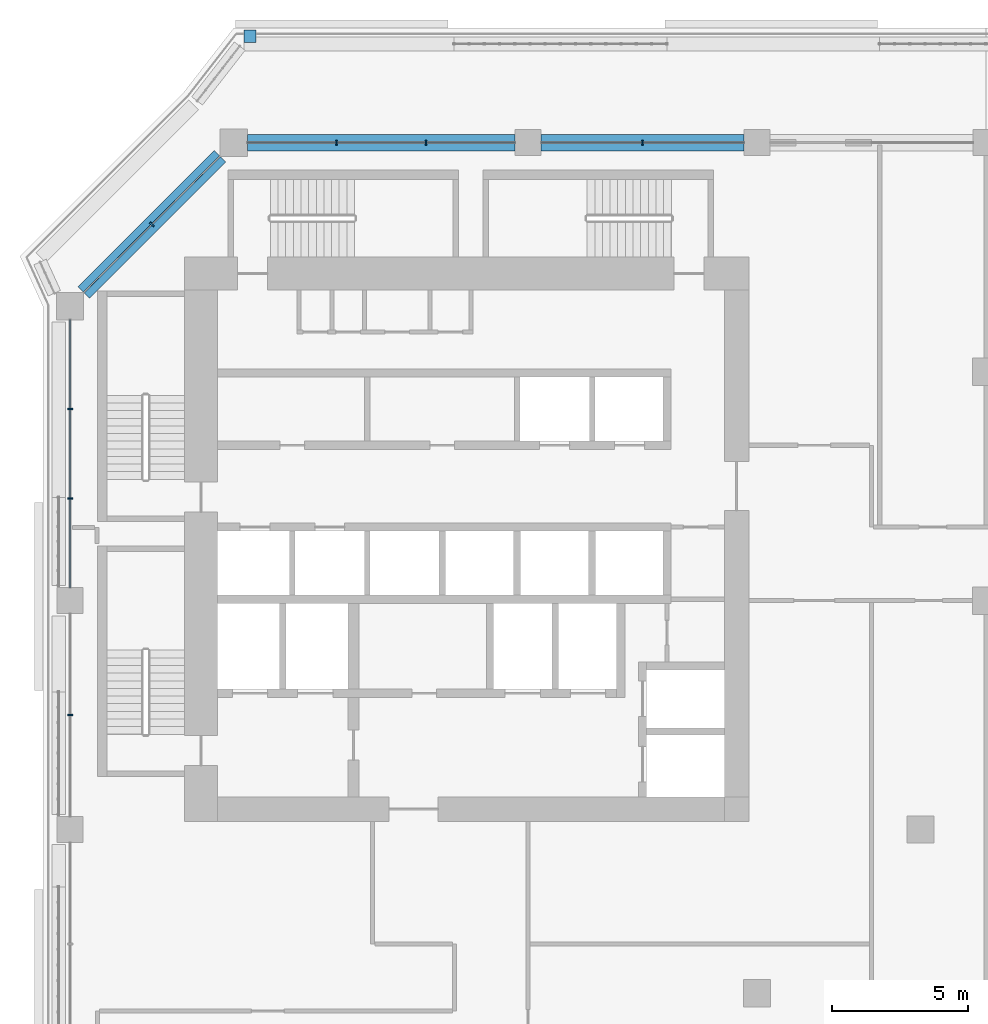
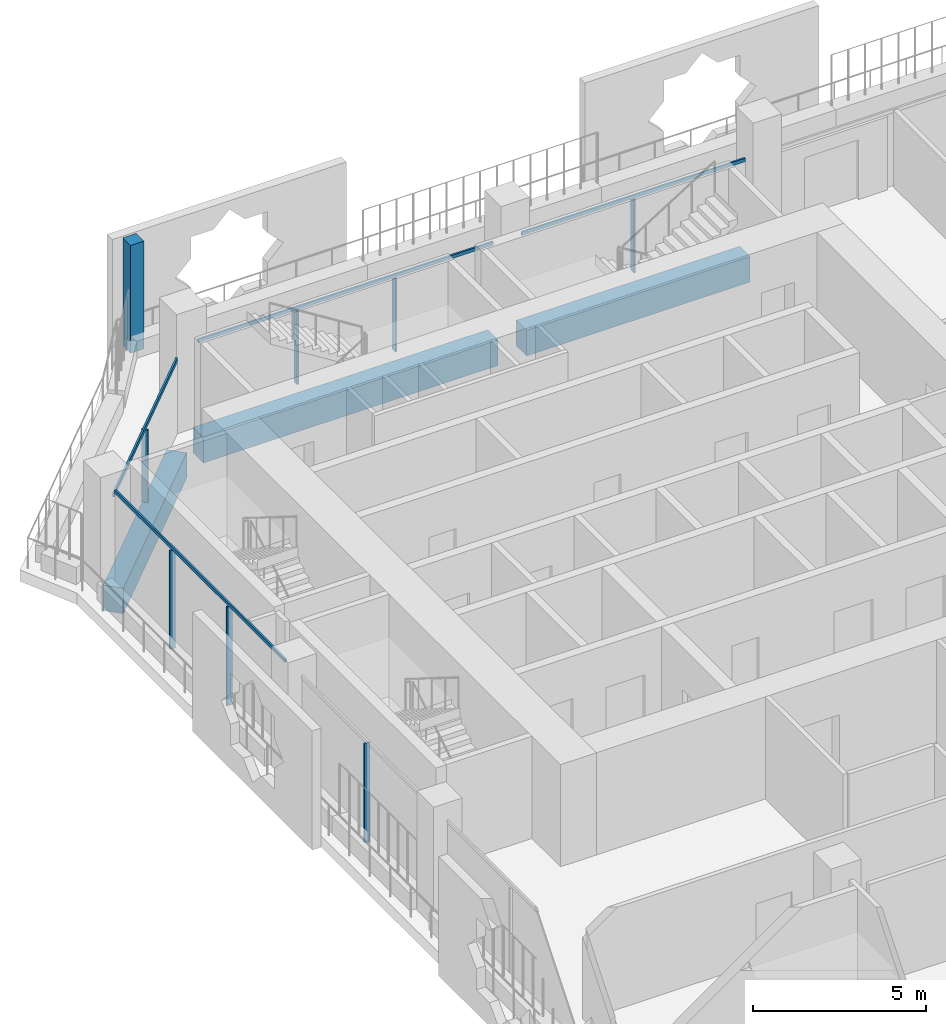
# One storey, part 5 of 22: 12 members, 3 beams, 4 elements without a shape of their own.
"""IFC4 building model written with IfcOpenShell, lengths in metres."""

from ifc_helpers import new_model, si_unit, direction, frame, origin, origin_2d, place, context, subcontext, project, spatial, rectangle, extrude, material, layer, layer_set, material_profile, profile_set, type_object, element, aggregate, save


model = new_model("IFC4")

# Units and contexts
model_context = context("Model", 3, precision=1e-05, world=origin(), true_north=direction((0.0, 1.0)))
body_context = subcontext(model_context, "Body", "Model", "MODEL_VIEW")
ifc_project = project(units=[si_unit("LENGTHUNIT", "METRE"), si_unit("AREAUNIT", "SQUARE_METRE"), si_unit("VOLUMEUNIT", "CUBIC_METRE"), si_unit("PLANEANGLEUNIT", "RADIAN"), si_unit("MASSUNIT", "GRAM", prefix="KILO")], contexts=[model_context])

# Site, building, storey
site_placement = place(None, origin())
site = spatial("IfcSite", under=ifc_project, at=site_placement, CompositionType="ELEMENT")
building_placement = place(site_placement, origin())
building = spatial("IfcBuilding", under=site, at=building_placement, Name="Kawkab Arch Medical Tower", CompositionType="ELEMENT")
storey_placement = place(building_placement, frame((0.0, 0.0, 183.60009765625)))
storey = spatial("IfcBuildingStorey", under=building, at=storey_placement, Name="L42", CompositionType="ELEMENT", Elevation=183.60009765625)

# Curtain wall, members
ifc_material_1 = material(Name="Bronze anodised aluminium curtain wall frame", Category="aluminium")
ifc_layer_1 = layer(ifc_material_1, 0.159912109375)
ifc_layer_set_1 = layer_set([ifc_layer_1], Name="Bronze anodised aluminium curtain wall frame")
curtain_wall_type_1 = type_object("IfcCurtainWallType", Name="CW1 ward curtain wall", PredefinedType="NOTDEFINED", material=ifc_layer_set_1)
placement = place(storey_placement, origin())
curtain_wall_1 = element("IfcCurtainWall", 1, at=placement, inside=storey, type_object=curtain_wall_type_1, Name="CW1 Ward curtain wall R01", PredefinedType="NOTDEFINED")
ifc_material_2 = material(Name="Bronze anodised aluminium curtain wall frame", Category="aluminium")
ifc_material_profile_1 = material_profile(ifc_material_2, rectangle(XDim=0.179931640625, YDim=0.06005859375, at=origin_2d()), Name="AL 60x180")
ifc_profile_set_1 = profile_set([ifc_material_profile_1], Name="Bronze anodised aluminium curtain wall frame")
member_type_1 = type_object("IfcMemberType", Name="CW1 mullion 60 x 180", PredefinedType="MULLION", material=ifc_profile_set_1)
member_1_placement = place(storey_placement, frame((0.0, -9.77490234375, 0.0), z_axis=(0.0, 0.0, 1.0), x_axis=(1.0, 0.0, 0.0)))
member_1 = element("IfcMember", 2, at=member_1_placement, type_object=member_type_1, Name="CW1 mullion 1.1", PredefinedType="MULLION", context=body_context, shape_type="SweptSolid", body=[
    extrude(rectangle(XDim=0.179931640625, YDim=0.06005859375, at=origin_2d()), origin(), (0.0, 0.0, 1.0), 3.47998046875),
])
member_2_placement = place(storey_placement, frame((0.0, -13.050048828125, 0.0), z_axis=(0.0, 0.0, 1.0), x_axis=(1.0, 0.0, 0.0)))
member_2 = element("IfcMember", 3, at=member_2_placement, type_object=member_type_1, Name="CW1 mullion 1.2", PredefinedType="MULLION", context=body_context, shape_type="SweptSolid", body=[
    extrude(rectangle(XDim=0.179931640625, YDim=0.06005859375, at=origin_2d()), origin(), (0.0, 0.0, 1.0), 3.47998046875),
])
member_3_placement = place(storey_placement, frame((0.0, -21.0, 0.0), z_axis=(0.0, 0.0, 1.0), x_axis=(1.0, 0.0, 0.0)))
member_3 = element("IfcMember", 4, at=member_3_placement, type_object=member_type_1, Name="CW1 mullion 2.1", PredefinedType="MULLION", context=body_context, shape_type="SweptSolid", body=[
    extrude(rectangle(XDim=0.179931640625, YDim=0.06005859375, at=origin_2d()), origin(), (0.0, 0.0, 1.0), 3.47998046875),
])

curtain_wall_2 = element("IfcCurtainWall", 5, at=placement, inside=storey, type_object=curtain_wall_type_1, Name="CW1 Ward curtain wall R11", PredefinedType="NOTDEFINED")
member_4_placement = place(storey_placement, frame((21.0, 0.0, 0.0), z_axis=(0.0, 0.0, 1.0), x_axis=(0.0, -1.0, 0.0)))
member_4 = element("IfcMember", 6, at=member_4_placement, type_object=member_type_1, Name="CW1 mullion 5.1", PredefinedType="MULLION", context=body_context, shape_type="SweptSolid", body=[
    extrude(rectangle(XDim=0.179931640625, YDim=0.06005859375, at=origin_2d()), origin(), (0.0, 0.0, 1.0), 2.579833984375),
])
member_5_placement = place(storey_placement, frame((13.050048828125, 0.0, 0.0), z_axis=(0.0, 0.0, 1.0), x_axis=(0.0, -1.0, 0.0)))
member_5 = element("IfcMember", 7, at=member_5_placement, type_object=member_type_1, Name="CW1 mullion 6.1", PredefinedType="MULLION", context=body_context, shape_type="SweptSolid", body=[
    extrude(rectangle(XDim=0.179931640625, YDim=0.06005859375, at=origin_2d()), origin(), (0.0, 0.0, 1.0), 2.579833984375),
])
member_6_placement = place(storey_placement, frame((9.77490234375, 0.0, 0.0), z_axis=(0.0, 0.0, 1.0), x_axis=(0.0, -1.0, 0.0)))
member_6 = element("IfcMember", 8, at=member_6_placement, type_object=member_type_1, Name="CW1 mullion 6.2", PredefinedType="MULLION", context=body_context, shape_type="SweptSolid", body=[
    extrude(rectangle(XDim=0.179931640625, YDim=0.06005859375, at=origin_2d()), origin(), (0.0, 0.0, 1.0), 2.579833984375),
])

# Member
ifc_material_3 = material(Name="Bronze anodised aluminium curtain wall frame", Category="aluminium")
ifc_material_profile_2 = material_profile(ifc_material_3, rectangle(XDim=0.06005859375, YDim=0.1201171875, at=origin_2d()), Name="AL 60x120")
ifc_profile_set_2 = profile_set([ifc_material_profile_2], Name="Bronze anodised aluminium curtain wall frame")
member_type_2 = type_object("IfcMemberType", Name="CW1 transom 120 x 60", PredefinedType="USERDEFINED", material=ifc_profile_set_2)
member_7_placement = place(storey_placement, frame((0.0, -6.5, 3.539794921875), z_axis=(0.0, -1.0, 0.0), x_axis=(1.0, 0.0, 0.0)))
member_7 = element("IfcMember", 9, at=member_7_placement, type_object=member_type_2, Name="CW1 transom 1", ObjectType="TRANSOM", PredefinedType="USERDEFINED", context=body_context, shape_type="SweptSolid", body=[
    extrude(rectangle(XDim=0.06005859375, YDim=0.1201171875, at=origin_2d()), origin(), (0.0, 0.0, 1.0), 9.824951171875),
])

aggregate(curtain_wall_1, [member_7, member_1, member_2, member_3])

member_8_placement = place(storey_placement, frame((24.72509765625, 0.0, 2.639892578125), z_axis=(-1.0, 0.0, 0.0), x_axis=(0.0, -1.0, 0.0)))
member_8 = element("IfcMember", 10, at=member_8_placement, type_object=member_type_2, Name="CW1 transom 5", ObjectType="TRANSOM", PredefinedType="USERDEFINED", context=body_context, shape_type="SweptSolid", body=[
    extrude(rectangle(XDim=0.06005859375, YDim=0.1201171875, at=origin_2d()), origin(), (0.0, 0.0, 1.0), 7.4501953125),
])

member_9_placement = place(storey_placement, frame((16.324951171875, 0.0, 2.639892578125), z_axis=(-1.0, 0.0, 0.0), x_axis=(0.0, -1.0, 0.0)))
member_9 = element("IfcMember", 11, at=member_9_placement, type_object=member_type_2, Name="CW1 transom 6", ObjectType="TRANSOM", PredefinedType="USERDEFINED", context=body_context, shape_type="SweptSolid", body=[
    extrude(rectangle(XDim=0.06005859375, YDim=0.1201171875, at=origin_2d()), origin(), (0.0, 0.0, 1.0), 9.824951171875),
])

aggregate(curtain_wall_2, [member_8, member_4, member_9, member_5, member_6])

# Curtain wall, members
ifc_material_4 = material(Name="Bronze anodised aluminium curtain wall frame", Category="aluminium")
ifc_layer_2 = layer(ifc_material_4, 0.159912109375)
ifc_layer_set_2 = layer_set([ifc_layer_2], Name="Bronze anodised aluminium curtain wall frame")
curtain_wall_type_2 = type_object("IfcCurtainWallType", Name="CW2 chamfer curtain wall", PredefinedType="NOTDEFINED", material=ifc_layer_set_2)
curtain_wall_3 = element("IfcCurtainWall", 12, at=placement, inside=storey, type_object=curtain_wall_type_2, Name="CW2 Chamfer curtain wall R12", PredefinedType="NOTDEFINED")
ifc_material_5 = material(Name="Bronze anodised aluminium curtain wall frame", Category="aluminium")
ifc_material_profile_3 = material_profile(ifc_material_5, rectangle(XDim=0.199951171875, YDim=0.06005859375, at=origin_2d()), Name="AL 60x200")
ifc_profile_set_3 = profile_set([ifc_material_profile_3], Name="Bronze anodised aluminium curtain wall frame")
member_type_3 = type_object("IfcMemberType", Name="CW2 mullion 60 x 200", PredefinedType="MULLION", material=ifc_profile_set_3)
member_10_placement = place(storey_placement, frame((3.0, -3.0, 0.0), z_axis=(0.0, 0.0, 1.0), x_axis=(0.707106781187, -0.707106781187, 0.0)))
member_10 = element("IfcMember", 13, at=member_10_placement, type_object=member_type_3, Name="CW2 mullion 1.1", PredefinedType="MULLION", context=body_context, shape_type="SweptSolid", body=[
    extrude(rectangle(XDim=0.199951171875, YDim=0.06005859375, at=origin_2d()), origin(), (0.0, 0.0, 1.0), 2.559814453125),
])
ifc_material_6 = material(Name="Bronze anodised aluminium curtain wall frame", Category="aluminium")
ifc_material_profile_4 = material_profile(ifc_material_6, rectangle(XDim=0.06005859375, YDim=0.139892578125, at=origin_2d()), Name="AL 60x140")
ifc_profile_set_4 = profile_set([ifc_material_profile_4], Name="Bronze anodised aluminium curtain wall frame")
member_type_4 = type_object("IfcMemberType", Name="CW2 transom 140 x 60", PredefinedType="USERDEFINED", material=ifc_profile_set_4)
member_11_placement = place(storey_placement, frame((5.5, -0.5, 2.6298828125), z_axis=(-0.707106781187, -0.707106781187, 0.0), x_axis=(0.707106781187, -0.707106781187, 0.0)))
member_11 = element("IfcMember", 14, at=member_11_placement, type_object=member_type_4, Name="CW2 transom 1", ObjectType="TRANSOM", PredefinedType="USERDEFINED", context=body_context, shape_type="SweptSolid", body=[
    extrude(rectangle(XDim=0.06005859375, YDim=0.139892578125, at=origin_2d()), origin(), (0.0, 0.0, 1.0), 7.071044921875),
])
aggregate(curtain_wall_3, [member_11, member_10])

# Curtain wall, member
ifc_material_7 = material(Name="Bronze anodised aluminium climber frame, planted", Category="aluminium")
ifc_layer_3 = layer(ifc_material_7, 0.449951171875)
ifc_layer_set_3 = layer_set([ifc_layer_3], Name="Bronze anodised aluminium climber frame, planted")
curtain_wall_type_3 = type_object("IfcCurtainWallType", Name="Planted climber frame", PredefinedType="NOTDEFINED", material=ifc_layer_set_3)
curtain_wall_4 = element("IfcCurtainWall", 15, at=placement, inside=storey, type_object=curtain_wall_type_3, Name="Planted climber frame L42", PredefinedType="NOTDEFINED")
ifc_material_8 = material(Name="Bronze anodised aluminium climber frame, planted", Category="aluminium")
ifc_material_profile_5 = material_profile(ifc_material_8, rectangle(XDim=0.449951171875, YDim=0.449951171875, at=origin_2d()), Name="Post 450x450")
ifc_profile_set_5 = profile_set([ifc_material_profile_5], Name="Bronze anodised aluminium climber frame, planted")
member_type_5 = type_object("IfcMemberType", Name="Planted climber post 450 x 450", PredefinedType="MULLION", material=ifc_profile_set_5)
member_12_placement = place(storey_placement, frame((6.596923828125, 3.89990234375, 0.0), z_axis=(0.0, 0.0, 1.0), x_axis=(1.0, 0.0, 0.0)))
member_12 = element("IfcMember", 16, at=member_12_placement, type_object=member_type_5, Name="Planted climber post L42.LOG-01-01.1", PredefinedType="MULLION", context=body_context, shape_type="SweptSolid", body=[
    extrude(rectangle(XDim=0.449951171875, YDim=0.449951171875, at=origin_2d()), origin(), (0.0, 0.0, 1.0), 3.7998046875),
])
aggregate(curtain_wall_4, [member_12])

# Beams
ifc_material_9 = material(Name="Concrete C50/60", Category="concrete")
ifc_material_profile_6 = material_profile(ifc_material_9, rectangle(XDim=0.60009765625, YDim=0.89990234375, at=origin_2d()), Name="RC 600x900")
ifc_profile_set_6 = profile_set([ifc_material_profile_6], Name="Concrete C50/60")
beam_type = type_object("IfcBeamType", Name="RC 600x900 beam C50/60", PredefinedType="BEAM", material=ifc_profile_set_6)
beam_1_placement = place(storey_placement, frame((0.5, -5.5, -1.050048828125), z_axis=(0.707106781187, 0.707106781187, 0.0), x_axis=(-0.707106781187, 0.707106781187, 0.0)))
element("IfcBeam", 17, at=beam_1_placement, inside=storey, type_object=beam_type, Name="Overhang edge beam L42-01", PredefinedType="BEAM", context=body_context, shape_type="SweptSolid", body=[
    extrude(rectangle(XDim=0.60009765625, YDim=0.89990234375, at=origin_2d()), origin(), (0.0, 0.0, 1.0), 7.071044921875),
])
beam_2_placement = place(storey_placement, frame((6.5, 0.0, -1.050048828125), z_axis=(1.0, 0.0, 0.0), x_axis=(0.0, 1.0, 0.0)))
element("IfcBeam", 18, at=beam_2_placement, inside=storey, type_object=beam_type, Name="Overhang edge beam L42-02", PredefinedType="BEAM", context=body_context, shape_type="SweptSolid", body=[
    extrude(rectangle(XDim=0.60009765625, YDim=0.89990234375, at=origin_2d()), origin(), (0.0, 0.0, 1.0), 9.824951171875),
])
beam_3_placement = place(storey_placement, frame((17.27490234375, 0.0, -1.050048828125), z_axis=(1.0, 0.0, 0.0), x_axis=(0.0, 1.0, 0.0)))
element("IfcBeam", 19, at=beam_3_placement, inside=storey, type_object=beam_type, Name="Overhang edge beam L42-03", PredefinedType="BEAM", context=body_context, shape_type="SweptSolid", body=[
    extrude(rectangle(XDim=0.60009765625, YDim=0.89990234375, at=origin_2d()), origin(), (0.0, 0.0, 1.0), 7.4501953125),
])

save(model, "model.ifc")
